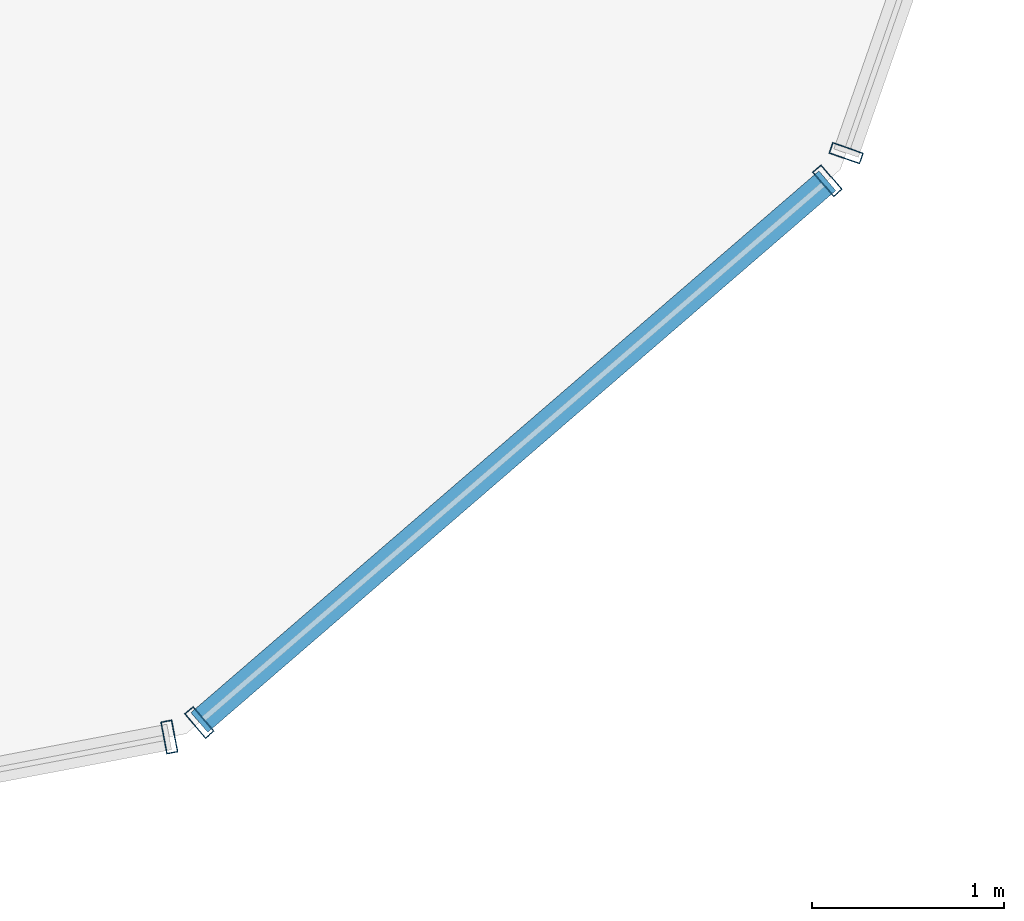
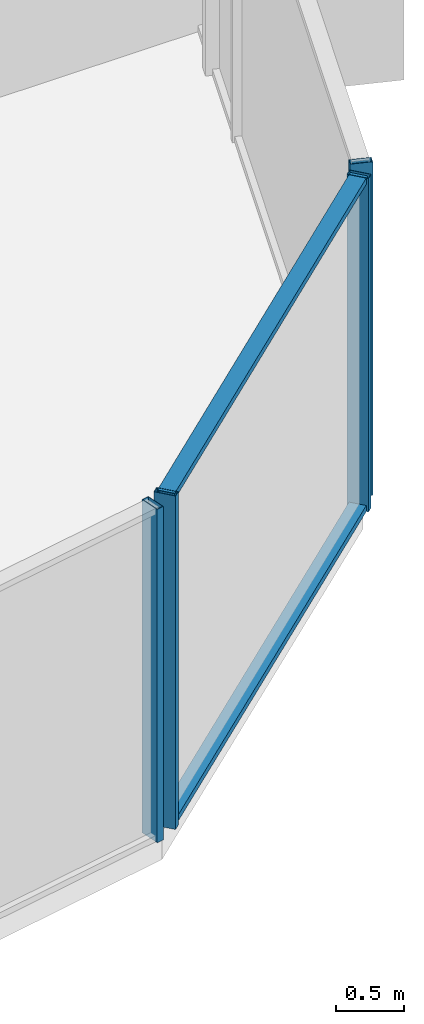
# One storey, part 14 of 38: 6 members, 3 elements without a shape of their own.
"""IFC4 building model written with IfcOpenShell, lengths in metres."""

from ifc_helpers import new_model, si_unit, direction, frame, origin, origin_2d, place, context, subcontext, project, spatial, hollow_rectangle, extrude, source, transform, mapped, material, layer, layer_set, material_profile, profile_set, type_object, element, aggregate, save


model = new_model("IFC4")

# Units and contexts
model_context = context("Model", 3, precision=1e-05, world=origin(), true_north=direction((0.0, 1.0)))
body_context = subcontext(model_context, "Body", "Model", "MODEL_VIEW")
ifc_project = project(units=[si_unit("LENGTHUNIT", "METRE"), si_unit("AREAUNIT", "SQUARE_METRE"), si_unit("VOLUMEUNIT", "CUBIC_METRE"), si_unit("PLANEANGLEUNIT", "RADIAN"), si_unit("MASSUNIT", "GRAM", prefix="KILO")], contexts=[model_context])

# Site, building, storey
site_placement = place(None, origin())
site = spatial("IfcSite", under=ifc_project, at=site_placement, CompositionType="ELEMENT")
building_placement = place(site_placement, origin())
building = spatial("IfcBuilding", under=site, at=building_placement, Name="Veraguas Prism Commons", CompositionType="ELEMENT")
storey_placement = place(building_placement, frame((0.0, 0.0, 60.85009765625)))
storey = spatial("IfcBuildingStorey", under=building, at=storey_placement, Name="L16", CompositionType="ELEMENT", Elevation=60.85009765625)

# Curtain wall, member
ifc_material = material(Name="Anodised aluminium EN AW-6063 T6", Category="aluminium")
ifc_layer = layer(ifc_material, 0.169921875, Name="Unitised Flush Curtain Wall Zone 1", Category="aluminium")
ifc_layer_set = layer_set([ifc_layer], Name="Anodised aluminium EN AW-6063 T6")
curtain_wall_type = type_object("IfcCurtainWallType", Name="Unitised Flush Curtain Wall Zone 1", PredefinedType="NOTDEFINED", material=ifc_layer_set)
curtain_wall_1_placement = place(storey_placement, origin())
curtain_wall_1 = element("IfcCurtainWall", 1, at=curtain_wall_1_placement, inside=storey, type_object=curtain_wall_type, Name="Tower Facade Curtain Wall L16-F5", PredefinedType="NOTDEFINED")
ifc_material_profile_1 = material_profile(ifc_material, hollow_rectangle(XDim=0.06005859375, YDim=0.169921875, WallThickness=0.00390625, at=origin_2d()), Name="AL60X170X4")
ifc_profile_set_1 = profile_set([ifc_material_profile_1], Name="Anodised aluminium EN AW-6063 T6")
member_type_1 = type_object("IfcMemberType", Name="Curtain Wall Mullion Lower AL 60x170x4", PredefinedType="MULLION", material=ifc_profile_set_1)
shared_shape_1 = source(origin(), body_context, "Body", "SweptSolid", [
    extrude(hollow_rectangle(XDim=0.06005859375, YDim=0.169921875, WallThickness=0.00390625, at=origin_2d()), origin(), (0.0, 0.0, 1.0), 3.0),
])
member_1_placement = place(storey_placement, frame((37.03515625, 5.323974609375, 0.0), z_axis=(0.0, 0.0, 1.0), x_axis=(0.982352599301, 0.187038420242, 0.0)))
member_1 = element("IfcMember", 2, at=member_1_placement, type_object=member_type_1, Name="CW-Z1 Mullion 5", PredefinedType="MULLION", context=body_context, shape_type="MappedRepresentation", body=[
    mapped(shared_shape_1, transform((0.0, 0.0, 0.0), scale=1.0)),
])
aggregate(curtain_wall_1, [member_1])

curtain_wall_2_placement = place(storey_placement, origin())
curtain_wall_2 = element("IfcCurtainWall", 3, at=curtain_wall_2_placement, inside=storey, type_object=curtain_wall_type, Name="Tower Facade Curtain Wall L16-F6", PredefinedType="NOTDEFINED")
member_2_placement = place(storey_placement, frame((40.560791015625, 8.364990234375, 0.0), z_axis=(0.0, 0.0, 1.0), x_axis=(0.329194628189, 0.944262091144, 0.0)))
member_2 = element("IfcMember", 4, at=member_2_placement, type_object=member_type_1, Name="CW-Z1 Mullion 1", PredefinedType="MULLION", context=body_context, shape_type="MappedRepresentation", body=[
    mapped(shared_shape_1, transform((0.0, 0.0, 0.0), scale=1.0)),
])
aggregate(curtain_wall_2, [member_2])

# Curtain wall, members
curtain_wall_3_placement = place(storey_placement, origin())
curtain_wall_3 = element("IfcCurtainWall", 5, at=curtain_wall_3_placement, inside=storey, type_object=curtain_wall_type, Name="Chamfer Curtain Wall L16-C6", PredefinedType="NOTDEFINED")
member_3_placement = place(storey_placement, frame((37.191650390625, 5.3994140625, 0.0), z_axis=(0.0, 0.0, 1.0), x_axis=(0.757232216056, 0.653145750171, 0.0)))
member_3 = element("IfcMember", 6, at=member_3_placement, type_object=member_type_1, Name="CW-Z1 Mullion 1", PredefinedType="MULLION", context=body_context, shape_type="MappedRepresentation", body=[
    mapped(shared_shape_1, transform((0.0, 0.0, 0.0), scale=1.0)),
])
member_4_placement = place(storey_placement, frame((40.462890625, 8.22119140625, 0.0), z_axis=(0.0, 0.0, 1.0), x_axis=(0.757232216056, 0.653145750171, 0.0)))
member_4 = element("IfcMember", 7, at=member_4_placement, type_object=member_type_1, Name="CW-Z1 Mullion 2", PredefinedType="MULLION", context=body_context, shape_type="MappedRepresentation", body=[
    mapped(shared_shape_1, transform((0.0, 0.0, 0.0), scale=1.0)),
])
ifc_material_profile_2 = material_profile(ifc_material, hollow_rectangle(XDim=0.054931640625, YDim=0.135009765625, WallThickness=0.0029296875, at=origin_2d()), Name="AL55X135X3")
ifc_profile_set_2 = profile_set([ifc_material_profile_2], Name="Anodised aluminium EN AW-6063 T6")
member_type_2 = type_object("IfcMemberType", Name="Curtain Wall Transom Standard AL 55x135x3", PredefinedType="USERDEFINED", material=ifc_profile_set_2)
shared_shape_2 = source(origin(), body_context, "Body", "SweptSolid", [
    extrude(hollow_rectangle(XDim=0.054931640625, YDim=0.135009765625, WallThickness=0.0029296875, at=origin_2d()), origin(), (0.0, 0.0, 1.0), 4.320068359375),
])
member_5_placement = place(storey_placement, frame((37.191650390625, 5.3994140625, 0.02734375), z_axis=(0.757210436499, 0.653170999706, 0.0), x_axis=(0.0, 0.0, 1.0)))
member_5 = element("IfcMember", 8, at=member_5_placement, type_object=member_type_2, Name="CW-Z1 Transom 1", ObjectType="TRANSOM", PredefinedType="USERDEFINED", context=body_context, shape_type="MappedRepresentation", body=[
    mapped(shared_shape_2, transform((0.0, 0.0, 0.0), scale=1.0)),
])
member_6_placement = place(storey_placement, frame((37.191650390625, 5.3994140625, 2.972412109375), z_axis=(0.757210436499, 0.653170999706, 0.0), x_axis=(0.0, 0.0, 1.0)))
member_6 = element("IfcMember", 9, at=member_6_placement, type_object=member_type_2, Name="CW-Z1 Transom 2", ObjectType="TRANSOM", PredefinedType="USERDEFINED", context=body_context, shape_type="MappedRepresentation", body=[
    mapped(shared_shape_2, transform((0.0, 0.0, 0.0), scale=1.0)),
])
aggregate(curtain_wall_3, [member_3, member_4, member_5, member_6])

save(model, "model.ifc")
